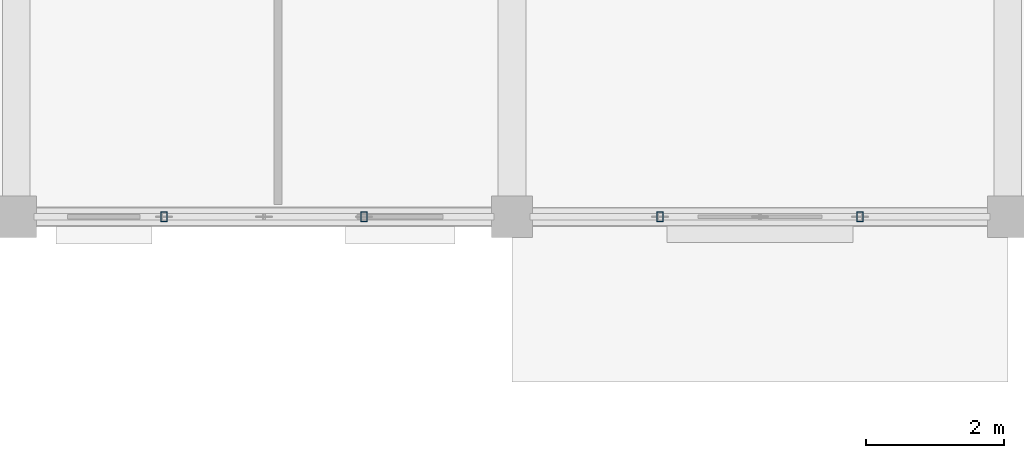
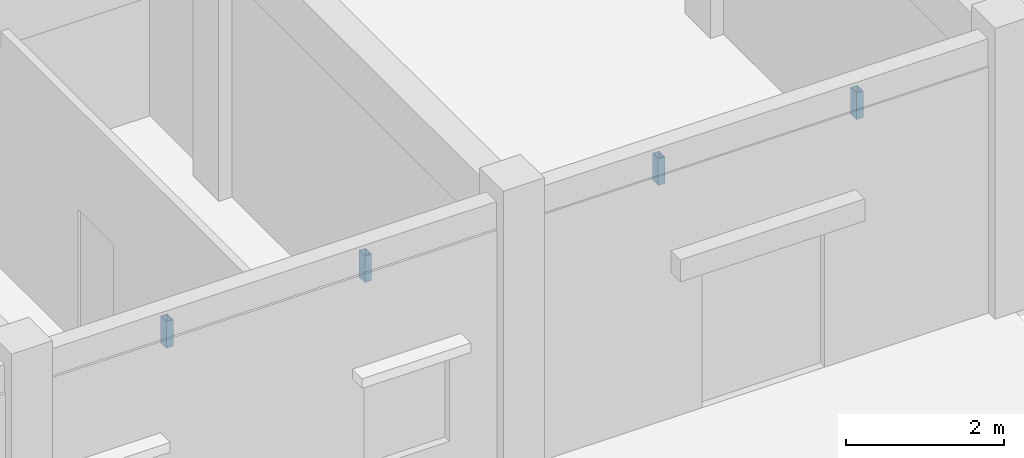
# One storey, part 56 of 138: 4 members.
"""IFC4 building model written with IfcOpenShell, lengths in metres."""

from ifc_helpers import new_model, si_unit, direction, frame, origin, origin_2d, place, context, subcontext, project, spatial, hollow_rectangle, extrude, material, material_profile, profile_set, type_object, element, save


model = new_model("IFC4")

# Units and contexts
model_context = context("Model", 3, precision=1e-05, world=origin(), true_north=direction((0.0, 1.0)))
body_context = subcontext(model_context, "Body", "Model", "MODEL_VIEW")
ifc_project = project(units=[si_unit("LENGTHUNIT", "METRE"), si_unit("AREAUNIT", "SQUARE_METRE"), si_unit("VOLUMEUNIT", "CUBIC_METRE"), si_unit("PLANEANGLEUNIT", "RADIAN"), si_unit("MASSUNIT", "GRAM", prefix="KILO"), si_unit("THERMODYNAMICTEMPERATUREUNIT", "KELVIN"), si_unit("POWERUNIT", "WATT")], contexts=[model_context])

# Site, building, storey
site_placement = place(None, origin())
site = spatial("IfcSite", under=ifc_project, at=site_placement, CompositionType="ELEMENT")
building_placement = place(site_placement, origin())
building = spatial("IfcBuilding", under=site, at=building_placement, Name="Tavuni Mirador Residences", CompositionType="ELEMENT")
storey_placement = place(building_placement, origin())
storey = spatial("IfcBuildingStorey", under=building, at=storey_placement, Name="L00", CompositionType="ELEMENT", Elevation=0.0)

# Members
ifc_material = material(Name="Structural steel S355", Category="steel")
ifc_material_profile = material_profile(ifc_material, hollow_rectangle(XDim=0.10009765625, YDim=0.14990234375, WallThickness=0.008056640625, at=origin_2d()), Name="RHS 150x100x8.0", Category="steel")
ifc_profile_set = profile_set([ifc_material_profile], Name="Structural steel S355")
member_type = type_object("IfcMemberType", Name="MT-BR-RHS150", PredefinedType="BRACE", material=ifc_profile_set)
for number, where, z_axis, x_axis, name in (
    (1, (34.548095703125, 144.0, 3.612060546875), (0.0, 0.0, 1.0), (1.0, 0.0, 0.0), "ARCH-BLKC-S-03-V1"),
    (2, (37.451904296875, 144.0, 3.612060546875), (0.0, 0.0, 1.0), (1.0, 0.0, 0.0), "ARCH-BLKC-S-03-V2"),
    (3, (41.748046875, 144.0, 3.612060546875), (0.0, 0.0, 1.0), (1.0, 0.0, 0.0), "ARCH-BLKC-S-04-V1"),
    (4, (44.652099609375, 144.0, 3.612060546875), (0.0, 0.0, 1.0), (1.0, 0.0, 0.0), "ARCH-BLKC-S-04-V2"),
):
    element("IfcMember", number, at=place(storey_placement, frame(where, z_axis=z_axis, x_axis=x_axis)), inside=storey, type_object=member_type, Name=name, PredefinedType="BRACE", context=body_context, shape_type="SweptSolid", body=[
        extrude(hollow_rectangle(XDim=0.10009765625, YDim=0.14990234375, WallThickness=0.008056640625, at=origin_2d()), origin(), (0.0, 0.0, 1.0), 0.412841796875),
    ])

save(model, "model.ifc")
